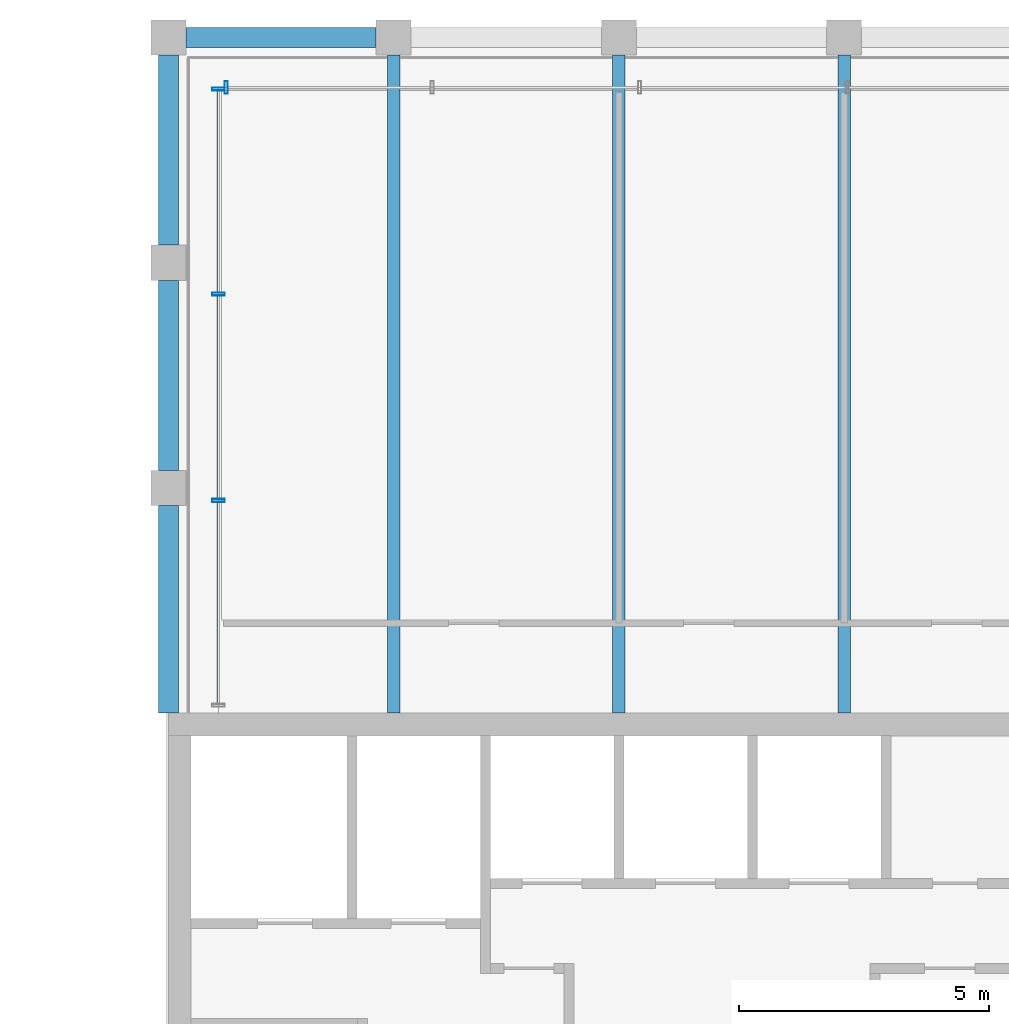
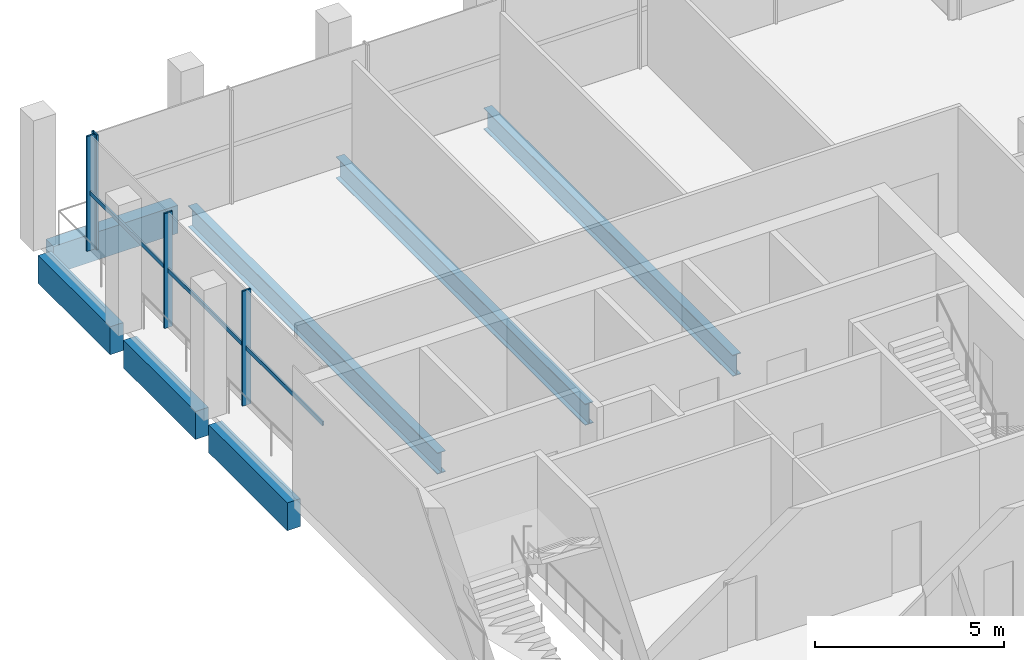
# One storey, part 10 of 17: 7 beams, 7 members, 2 elements without a shape of their own.
"""IFC4 building model written with IfcOpenShell, lengths in metres."""

from ifc_helpers import new_model, si_unit, direction, frame, origin, origin_2d, place, context, subcontext, project, spatial, rectangle, hollow_rectangle, i_section, extrude, material, material_profile, profile_set, type_object, element, aggregate, save


model = new_model("IFC4")

# Units and contexts
model_context = context("Model", 3, precision=1e-05, world=origin(), true_north=direction((0.0, 1.0)))
body_context = subcontext(model_context, "Body", "Model", "MODEL_VIEW")
ifc_project = project(units=[si_unit("LENGTHUNIT", "METRE"), si_unit("AREAUNIT", "SQUARE_METRE"), si_unit("VOLUMEUNIT", "CUBIC_METRE"), si_unit("PLANEANGLEUNIT", "RADIAN"), si_unit("MASSUNIT", "GRAM", prefix="KILO")], contexts=[model_context])

# Site, building, storey
site_placement = place(None, origin())
site = spatial("IfcSite", under=ifc_project, at=site_placement, CompositionType="ELEMENT")
building_placement = place(site_placement, origin())
building = spatial("IfcBuilding", under=site, at=building_placement, Name="Altepetl Exchange Towers", CompositionType="ELEMENT")
storey_placement = place(building_placement, frame((0.0, 0.0, 255.199951171875)))
storey = spatial("IfcBuildingStorey", under=building, at=storey_placement, Name="L65", CompositionType="ELEMENT", Elevation=255.199951171875)

# Beams
ifc_material_1 = material(Name="Steel S355", Category="steel")
ifc_material_profile_1 = material_profile(ifc_material_1, i_section(OverallWidth=0.25390625, OverallDepth=0.68408203125, WebThickness=0.012451171875, FlangeThickness=0.018798828125, at=origin_2d()), Name="W27X94")
ifc_profile_set_1 = profile_set([ifc_material_profile_1], Name="Steel S355")
beam_type_1 = type_object("IfcBeamType", Name="Floor beam W27X94", PredefinedType="BEAM", material=ifc_profile_set_1)
for number, where, z_axis, x_axis, name in (
    (1, (45.0, 58.5, -0.516845703125), (0.0, 1.0, 0.0), (-1.0, 0.0, 0.0), "bm:A:L65:000"),
    (2, (49.5, 58.5, -0.516845703125), (0.0, 1.0, 0.0), (-1.0, 0.0, 0.0), "bm:A:L65:001"),
    (3, (54.0, 58.5, -0.516845703125), (0.0, 1.0, 0.0), (-1.0, 0.0, 0.0), "bm:A:L65:002"),
):
    element("IfcBeam", number, at=place(storey_placement, frame(where, z_axis=z_axis, x_axis=x_axis)), inside=storey, type_object=beam_type_1, Name=name, PredefinedType="BEAM", context=body_context, shape_type="SweptSolid", body=[
        extrude(i_section(OverallWidth=0.25390625, OverallDepth=0.68408203125, WebThickness=0.012451171875, FlangeThickness=0.018798828125, at=origin_2d()), origin(), (0.0, 0.0, 1.0), 13.14990234375),
    ])

# Curtain wall, member
ifc_material_2 = material(Name="Aluminium 6063-T6 glazing", Category="aluminium")
curtain_wall_type = type_object("IfcCurtainWallType", Name="Executive flush glazing system", PredefinedType="NOTDEFINED", material=ifc_material_2)
curtain_wall_1_placement = place(storey_placement, origin())
curtain_wall_1 = element("IfcCurtainWall", 4, at=curtain_wall_1_placement, inside=storey, type_object=curtain_wall_type, Name="CW4 run", PredefinedType="NOTDEFINED")
ifc_material_3 = material(Name="Aluminium 6063-T6", Category="aluminium")
ifc_material_profile_2 = material_profile(ifc_material_3, hollow_rectangle(XDim=0.06005859375, YDim=0.25, WallThickness=0.0029296875, at=origin_2d()), Name="Mullion 60x250 hollow aluminium")
ifc_profile_set_2 = profile_set([ifc_material_profile_2], Name="Aluminium 6063-T6")
member_type_1 = type_object("IfcMemberType", Name="Mullion 60x250 hollow aluminium", PredefinedType="MULLION", material=ifc_profile_set_2)
member_1_placement = place(storey_placement, frame((41.655029296875, 71.0, 0.0), z_axis=(0.0, 0.0, 1.0), x_axis=(-1.0, 0.0, 0.0)))
member_1 = element("IfcMember", 5, at=member_1_placement, type_object=member_type_1, Name="MU3 mullion", PredefinedType="MULLION", context=body_context, shape_type="SweptSolid", body=[
    extrude(hollow_rectangle(XDim=0.06005859375, YDim=0.25, WallThickness=0.0029296875, at=origin_2d()), origin(), (0.0, 0.0, 1.0), 3.699951171875),
])
aggregate(curtain_wall_1, [member_1])

# Curtain wall, members
curtain_wall_2_placement = place(storey_placement, origin())
curtain_wall_2 = element("IfcCurtainWall", 6, at=curtain_wall_2_placement, inside=storey, type_object=curtain_wall_type, Name="CW4 run", PredefinedType="NOTDEFINED")
member_2_placement = place(storey_placement, frame((41.5, 70.969970703125, 0.0), z_axis=(0.0, 0.0, 1.0), x_axis=(0.0, -1.0, 0.0)))
member_2 = element("IfcMember", 7, at=member_2_placement, type_object=member_type_1, Name="MU3 mullion", PredefinedType="MULLION", context=body_context, shape_type="SweptSolid", body=[
    extrude(hollow_rectangle(XDim=0.06005859375, YDim=0.25, WallThickness=0.0029296875, at=origin_2d()), origin(), (0.0, 0.0, 1.0), 3.699951171875),
])
member_3_placement = place(storey_placement, frame((41.5, 66.875, 0.0), z_axis=(0.0, 0.0, 1.0), x_axis=(0.0, -1.0, 0.0)))
member_3 = element("IfcMember", 8, at=member_3_placement, type_object=member_type_1, Name="MU3 mullion", PredefinedType="MULLION", context=body_context, shape_type="SweptSolid", body=[
    extrude(hollow_rectangle(XDim=0.06005859375, YDim=0.25, WallThickness=0.0029296875, at=origin_2d()), origin(), (0.0, 0.0, 1.0), 3.699951171875),
])
member_4_placement = place(storey_placement, frame((41.5, 62.75, 0.0), z_axis=(0.0, 0.0, 1.0), x_axis=(0.0, -1.0, 0.0)))
member_4 = element("IfcMember", 9, at=member_4_placement, type_object=member_type_1, Name="MU3 mullion", PredefinedType="MULLION", context=body_context, shape_type="SweptSolid", body=[
    extrude(hollow_rectangle(XDim=0.06005859375, YDim=0.25, WallThickness=0.0029296875, at=origin_2d()), origin(), (0.0, 0.0, 1.0), 3.699951171875),
])

# Beams
ifc_material_4 = material(Name="Concrete C50/60 precast with cantera rosa facing", Category="concrete")
ifc_material_profile_3 = material_profile(ifc_material_4, rectangle(XDim=0.39990234375, YDim=0.89990234375, at=origin_2d()), Name="400 x 900")
ifc_profile_set_3 = profile_set([ifc_material_profile_3], Name="Concrete C50/60 precast with cantera rosa facing")
beam_type_2 = type_object("IfcBeamType", Name="Spandrel beam 400x900 cantera rosa", PredefinedType="SPANDREL", material=ifc_profile_set_3)
beam_1_placement = place(storey_placement, frame((44.64990234375, 72.0, -0.625), z_axis=(-1.0, 0.0, 0.0), x_axis=(0.0, -1.0, 0.0)))
element("IfcBeam", 10, at=beam_1_placement, inside=storey, type_object=beam_type_2, Name="sp:A:L65:029", PredefinedType="SPANDREL", context=body_context, shape_type="SweptSolid", body=[
    extrude(rectangle(XDim=0.39990234375, YDim=0.89990234375, at=origin_2d()), origin(), (0.0, 0.0, 1.0), 3.7998046875),
])
ifc_material_5 = material(Name="Concrete C50/60 precast with tezontle facing", Category="concrete")
ifc_material_profile_4 = material_profile(ifc_material_5, rectangle(XDim=0.39990234375, YDim=0.89990234375, at=origin_2d()), Name="400 x 900")
ifc_profile_set_4 = profile_set([ifc_material_profile_4], Name="Concrete C50/60 precast with tezontle facing")
beam_type_3 = type_object("IfcBeamType", Name="Spandrel beam 400x900 tezontle", PredefinedType="SPANDREL", material=ifc_profile_set_4)
for number, where, z_axis, x_axis, name in (
    (11, (40.5, 71.64990234375, -0.625), (0.0, -1.0, 0.0), (1.0, 0.0, 0.0), "sp:A:L65:030"),
    (12, (40.5, 67.14990234375, -0.625), (0.0, -1.0, 0.0), (1.0, 0.0, 0.0), "sp:A:L65:031"),
):
    element("IfcBeam", number, at=place(storey_placement, frame(where, z_axis=z_axis, x_axis=x_axis)), inside=storey, type_object=beam_type_3, Name=name, PredefinedType="SPANDREL", context=body_context, shape_type="SweptSolid", body=[
        extrude(rectangle(XDim=0.39990234375, YDim=0.89990234375, at=origin_2d()), origin(), (0.0, 0.0, 1.0), 3.7998046875),
    ])
beam_2_placement = place(storey_placement, frame((40.5, 62.64990234375, -0.625), z_axis=(0.0, -1.0, 0.0), x_axis=(1.0, 0.0, 0.0)))
element("IfcBeam", 13, at=beam_2_placement, inside=storey, type_object=beam_type_3, Name="sp:A:L65:032", PredefinedType="SPANDREL", context=body_context, shape_type="SweptSolid", body=[
    extrude(rectangle(XDim=0.39990234375, YDim=0.89990234375, at=origin_2d()), origin(), (0.0, 0.0, 1.0), 4.14990234375),
])

# Member
ifc_material_profile_5 = material_profile(ifc_material_3, hollow_rectangle(XDim=0.050048828125, YDim=0.139892578125, WallThickness=0.0029296875, at=origin_2d()), Name="Transom 50x140 hollow aluminium")
ifc_profile_set_5 = profile_set([ifc_material_profile_5], Name="Aluminium 6063-T6")
member_type_2 = type_object("IfcMemberType", Name="Transom 50x140 hollow aluminium", PredefinedType="USERDEFINED", material=ifc_profile_set_5)
member_5_placement = place(storey_placement, frame((41.5, 70.93994140625, 1.85009765625), z_axis=(0.0, -1.0, 0.0), x_axis=(1.0, 0.0, 0.0)))
member_5 = element("IfcMember", 14, at=member_5_placement, type_object=member_type_2, Name="TR2 transom", ObjectType="TRANSOM", PredefinedType="USERDEFINED", context=body_context, shape_type="SweptSolid", body=[
    extrude(hollow_rectangle(XDim=0.050048828125, YDim=0.139892578125, WallThickness=0.0029296875, at=origin_2d()), origin(), (0.0, 0.0, 1.0), 4.034912109375),
])

member_6_placement = place(storey_placement, frame((41.5, 66.844970703125, 1.85009765625), z_axis=(0.0, -1.0, 0.0), x_axis=(1.0, 0.0, 0.0)))
member_6 = element("IfcMember", 15, at=member_6_placement, type_object=member_type_2, Name="TR2 transom", ObjectType="TRANSOM", PredefinedType="USERDEFINED", context=body_context, shape_type="SweptSolid", body=[
    extrude(hollow_rectangle(XDim=0.050048828125, YDim=0.139892578125, WallThickness=0.0029296875, at=origin_2d()), origin(), (0.0, 0.0, 1.0), 4.06494140625),
])

member_7_placement = place(storey_placement, frame((41.5, 62.719970703125, 1.85009765625), z_axis=(0.0, -1.0, 0.0), x_axis=(1.0, 0.0, 0.0)))
member_7 = element("IfcMember", 16, at=member_7_placement, type_object=member_type_2, Name="TR2 transom", ObjectType="TRANSOM", PredefinedType="USERDEFINED", context=body_context, shape_type="SweptSolid", body=[
    extrude(hollow_rectangle(XDim=0.050048828125, YDim=0.139892578125, WallThickness=0.0029296875, at=origin_2d()), origin(), (0.0, 0.0, 1.0), 4.034912109375),
])

aggregate(curtain_wall_2, [member_2, member_3, member_4, member_5, member_6, member_7])

save(model, "model.ifc")
